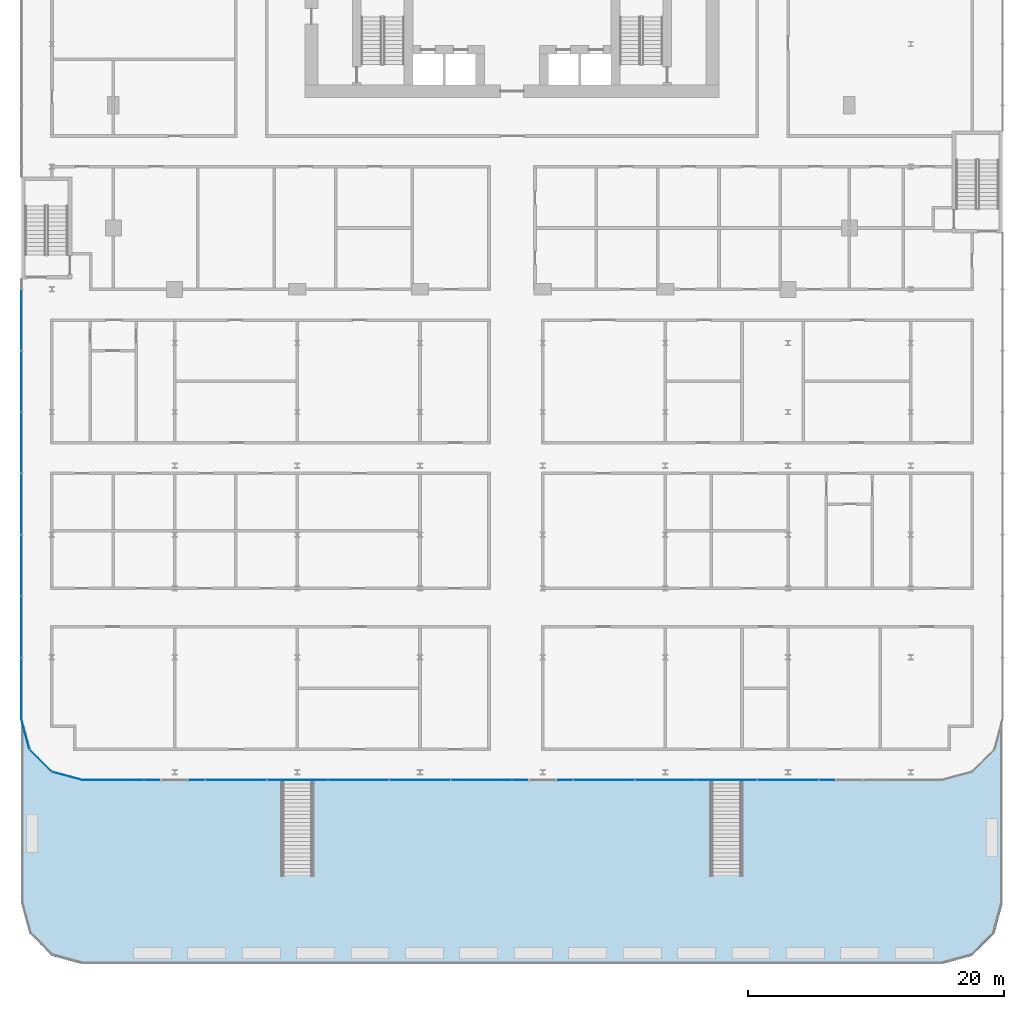
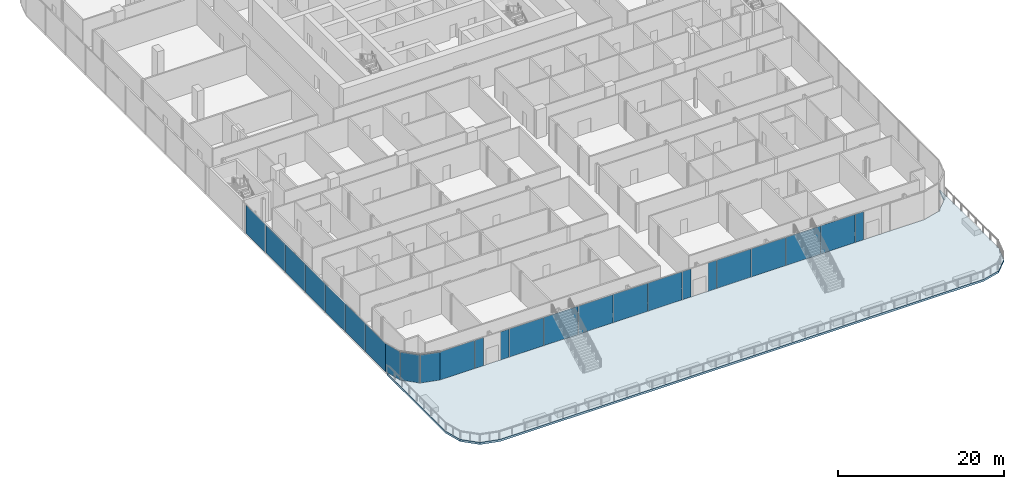
# One storey, part 24 of 45: 25 plates, 1 slab, 3 elements without a shape of their own.
"""IFC4 building model written with IfcOpenShell, lengths in metres."""

from ifc_helpers import new_model, si_unit, direction, frame, origin, origin_2d, place, context, subcontext, project, spatial, polyline, rectangle, outline, extrude, material, layer, layer_set, type_object, element, aggregate, save


model = new_model("IFC4")

# Units and contexts
model_context = context("Model", 3, precision=1e-05, world=origin(), true_north=direction((0.0, 1.0)))
body_context = subcontext(model_context, "Body", "Model", "MODEL_VIEW")
ifc_project = project(units=[si_unit("LENGTHUNIT", "METRE"), si_unit("AREAUNIT", "SQUARE_METRE"), si_unit("VOLUMEUNIT", "CUBIC_METRE"), si_unit("PLANEANGLEUNIT", "RADIAN"), si_unit("MASSUNIT", "GRAM", prefix="KILO")], contexts=[model_context])

# Site, building, storey
site_placement = place(None, origin())
site = spatial("IfcSite", under=ifc_project, at=site_placement, CompositionType="ELEMENT")
building_placement = place(site_placement, origin())
building = spatial("IfcBuilding", under=site, at=building_placement, Name="Madar Terraces", CompositionType="ELEMENT")
storey_placement = place(building_placement, frame((0.0, 0.0, 6.0)))
storey = spatial("IfcBuildingStorey", under=building, at=storey_placement, Name="L01", CompositionType="ELEMENT", Elevation=6.0)

# Curtain wall, plates
ifc_material_1 = material(Name="Glass, clear low-iron, with black aluminium frame", Category="aluminium")
ifc_layer_1 = layer(ifc_material_1, 0.199951171875)
ifc_layer_set_1 = layer_set([ifc_layer_1], Name="Facade curtain wall, shopfront glazing")
curtain_wall_type = type_object("IfcCurtainWallType", Name="Facade curtain wall, shopfront glazing", PredefinedType="NOTDEFINED", material=ifc_layer_set_1)
curtain_wall_1_placement = place(storey_placement, origin())
curtain_wall_1 = element("IfcCurtainWall", 1, at=curtain_wall_1_placement, inside=storey, type_object=curtain_wall_type, Name="Outer skin curtain wall south bay 1", PredefinedType="NOTDEFINED")
ifc_material_2 = material(Name="Glass, ceramic frit dark grey", Category="glass")
ifc_layer_2 = layer(ifc_material_2, 0.028076171875)
ifc_layer_set_2 = layer_set([ifc_layer_2], Name="Facade glass panel 28")
plate_type = type_object("IfcPlateType", Name="Facade glass panel 28", PredefinedType="CURTAIN_PANEL", material=ifc_layer_set_2)
plate_1_placement = place(storey_placement, frame((-0.014892578125, -38.39990234375, 0.0), z_axis=(0.0, 0.0, 1.0), x_axis=(1.0, 0.0, 0.0)))
plate_1 = element("IfcPlate", 2, at=plate_1_placement, type_object=plate_type, Name="Panel 1", PredefinedType="CURTAIN_PANEL", context=body_context, shape_type="SweptSolid", body=[
    extrude(rectangle(XDim=4.77001953125, YDim=0.028076171875, at=origin_2d()), origin(), (0.0, 0.0, 1.0), 4.139892578125),
])
plate_2_placement = place(storey_placement, frame((3.014892578125, -38.39990234375, 0.0), z_axis=(0.0, 0.0, 1.0), x_axis=(1.0, 0.0, 0.0)))
plate_2 = element("IfcPlate", 3, at=plate_2_placement, type_object=plate_type, Name="Panel 2", PredefinedType="CURTAIN_PANEL", context=body_context, shape_type="SweptSolid", body=[
    extrude(rectangle(XDim=1.169921875, YDim=0.028076171875, at=origin_2d()), origin(), (0.0, 0.0, 1.0), 4.139892578125),
])
plate_3_placement = place(storey_placement, frame((6.5849609375, -38.39990234375, 0.0), z_axis=(0.0, 0.0, 1.0), x_axis=(1.0, 0.0, 0.0)))
plate_3 = element("IfcPlate", 4, at=plate_3_placement, type_object=plate_type, Name="Panel 3", PredefinedType="CURTAIN_PANEL", context=body_context, shape_type="SweptSolid", body=[
    extrude(rectangle(XDim=1.169921875, YDim=0.028076171875, at=origin_2d()), origin(), (0.0, 0.0, 1.0), 4.139892578125),
])
plate_4_placement = place(storey_placement, frame((9.60009765625, -38.39990234375, 0.0), z_axis=(0.0, 0.0, 1.0), x_axis=(1.0, 0.0, 0.0)))
plate_4 = element("IfcPlate", 5, at=plate_4_placement, type_object=plate_type, Name="Panel 4", PredefinedType="CURTAIN_PANEL", context=body_context, shape_type="SweptSolid", body=[
    extrude(rectangle(XDim=4.739990234375, YDim=0.028076171875, at=origin_2d()), origin(), (0.0, 0.0, 1.0), 4.139892578125),
])
plate_5_placement = place(storey_placement, frame((14.39990234375, -38.39990234375, 0.0), z_axis=(0.0, 0.0, 1.0), x_axis=(1.0, 0.0, 0.0)))
plate_5 = element("IfcPlate", 6, at=plate_5_placement, type_object=plate_type, Name="Panel 5", PredefinedType="CURTAIN_PANEL", context=body_context, shape_type="SweptSolid", body=[
    extrude(rectangle(XDim=4.739990234375, YDim=0.028076171875, at=origin_2d()), origin(), (0.0, 0.0, 1.0), 4.139892578125),
])
plate_6_placement = place(storey_placement, frame((19.199951171875, -38.39990234375, 0.0), z_axis=(0.0, 0.0, 1.0), x_axis=(1.0, 0.0, 0.0)))
plate_6 = element("IfcPlate", 7, at=plate_6_placement, type_object=plate_type, Name="Panel 6", PredefinedType="CURTAIN_PANEL", context=body_context, shape_type="SweptSolid", body=[
    extrude(rectangle(XDim=4.739990234375, YDim=0.028076171875, at=origin_2d()), origin(), (0.0, 0.0, 1.0), 4.139892578125),
])
plate_7_placement = place(storey_placement, frame((24.0, -38.39990234375, 0.0), z_axis=(0.0, 0.0, 1.0), x_axis=(1.0, 0.0, 0.0)))
plate_7 = element("IfcPlate", 8, at=plate_7_placement, type_object=plate_type, Name="Panel 7", PredefinedType="CURTAIN_PANEL", context=body_context, shape_type="SweptSolid", body=[
    extrude(rectangle(XDim=4.739990234375, YDim=0.028076171875, at=origin_2d()), origin(), (0.0, 0.0, 1.0), 4.139892578125),
])
plate_8_placement = place(storey_placement, frame((28.800048828125, -38.39990234375, 0.0), z_axis=(0.0, 0.0, 1.0), x_axis=(1.0, 0.0, 0.0)))
plate_8 = element("IfcPlate", 9, at=plate_8_placement, type_object=plate_type, Name="Panel 8", PredefinedType="CURTAIN_PANEL", context=body_context, shape_type="SweptSolid", body=[
    extrude(rectangle(XDim=4.739990234375, YDim=0.028076171875, at=origin_2d()), origin(), (0.0, 0.0, 1.0), 4.139892578125),
])
plate_9_placement = place(storey_placement, frame((31.81494140625, -38.39990234375, 0.0), z_axis=(0.0, 0.0, 1.0), x_axis=(1.0, 0.0, 0.0)))
plate_9 = element("IfcPlate", 10, at=plate_9_placement, type_object=plate_type, Name="Panel 9", PredefinedType="CURTAIN_PANEL", context=body_context, shape_type="SweptSolid", body=[
    extrude(rectangle(XDim=1.169921875, YDim=0.028076171875, at=origin_2d()), origin(), (0.0, 0.0, 1.0), 4.139892578125),
])
plate_10_placement = place(storey_placement, frame((35.385009765625, -38.39990234375, 0.0), z_axis=(0.0, 0.0, 1.0), x_axis=(1.0, 0.0, 0.0)))
plate_10 = element("IfcPlate", 11, at=plate_10_placement, type_object=plate_type, Name="Panel 10", PredefinedType="CURTAIN_PANEL", context=body_context, shape_type="SweptSolid", body=[
    extrude(rectangle(XDim=1.169921875, YDim=0.028076171875, at=origin_2d()), origin(), (0.0, 0.0, 1.0), 4.139892578125),
])
plate_11_placement = place(storey_placement, frame((38.39990234375, -38.39990234375, 0.0), z_axis=(0.0, 0.0, 1.0), x_axis=(1.0, 0.0, 0.0)))
plate_11 = element("IfcPlate", 12, at=plate_11_placement, type_object=plate_type, Name="Panel 11", PredefinedType="CURTAIN_PANEL", context=body_context, shape_type="SweptSolid", body=[
    extrude(rectangle(XDim=4.739990234375, YDim=0.028076171875, at=origin_2d()), origin(), (0.0, 0.0, 1.0), 4.139892578125),
])
plate_12_placement = place(storey_placement, frame((43.199951171875, -38.39990234375, 0.0), z_axis=(0.0, 0.0, 1.0), x_axis=(1.0, 0.0, 0.0)))
plate_12 = element("IfcPlate", 13, at=plate_12_placement, type_object=plate_type, Name="Panel 12", PredefinedType="CURTAIN_PANEL", context=body_context, shape_type="SweptSolid", body=[
    extrude(rectangle(XDim=4.739990234375, YDim=0.028076171875, at=origin_2d()), origin(), (0.0, 0.0, 1.0), 4.139892578125),
])
plate_13_placement = place(storey_placement, frame((48.0, -38.39990234375, 0.0), z_axis=(0.0, 0.0, 1.0), x_axis=(1.0, 0.0, 0.0)))
plate_13 = element("IfcPlate", 14, at=plate_13_placement, type_object=plate_type, Name="Panel 13", PredefinedType="CURTAIN_PANEL", context=body_context, shape_type="SweptSolid", body=[
    extrude(rectangle(XDim=4.739990234375, YDim=0.028076171875, at=origin_2d()), origin(), (0.0, 0.0, 1.0), 4.139892578125),
])
plate_14_placement = place(storey_placement, frame((52.800048828125, -38.39990234375, 0.0), z_axis=(0.0, 0.0, 1.0), x_axis=(1.0, 0.0, 0.0)))
plate_14 = element("IfcPlate", 15, at=plate_14_placement, type_object=plate_type, Name="Panel 14", PredefinedType="CURTAIN_PANEL", context=body_context, shape_type="SweptSolid", body=[
    extrude(rectangle(XDim=4.739990234375, YDim=0.028076171875, at=origin_2d()), origin(), (0.0, 0.0, 1.0), 4.139892578125),
])
plate_15_placement = place(storey_placement, frame((55.81494140625, -38.39990234375, 0.0), z_axis=(0.0, 0.0, 1.0), x_axis=(1.0, 0.0, 0.0)))
plate_15 = element("IfcPlate", 16, at=plate_15_placement, type_object=plate_type, Name="Panel 15", PredefinedType="CURTAIN_PANEL", context=body_context, shape_type="SweptSolid", body=[
    extrude(rectangle(XDim=1.169921875, YDim=0.028076171875, at=origin_2d()), origin(), (0.0, 0.0, 1.0), 4.139892578125),
])
aggregate(curtain_wall_1, [plate_1, plate_2, plate_3, plate_4, plate_5, plate_6, plate_7, plate_8, plate_9, plate_10, plate_11, plate_12, plate_13, plate_14, plate_15])

curtain_wall_2_placement = place(storey_placement, origin())
curtain_wall_2 = element("IfcCurtainWall", 17, at=curtain_wall_2_placement, inside=storey, type_object=curtain_wall_type, Name="Outer skin curtain wall west bay 1", PredefinedType="NOTDEFINED")
plate_16_placement = place(storey_placement, frame((-7.199951171875, -2.39990234375, 0.0), z_axis=(0.0, 0.0, 1.0), x_axis=(0.0, -1.0, 0.0)))
plate_16 = element("IfcPlate", 18, at=plate_16_placement, type_object=plate_type, Name="Panel 12", PredefinedType="CURTAIN_PANEL", context=body_context, shape_type="SweptSolid", body=[
    extrude(rectangle(XDim=4.739990234375, YDim=0.028076171875, at=origin_2d()), origin(), (0.0, 0.0, 1.0), 4.139892578125),
])
plate_17_placement = place(storey_placement, frame((-7.199951171875, -7.199951171875, 0.0), z_axis=(0.0, 0.0, 1.0), x_axis=(0.0, -1.0, 0.0)))
plate_17 = element("IfcPlate", 19, at=plate_17_placement, type_object=plate_type, Name="Panel 13", PredefinedType="CURTAIN_PANEL", context=body_context, shape_type="SweptSolid", body=[
    extrude(rectangle(XDim=4.739990234375, YDim=0.028076171875, at=origin_2d()), origin(), (0.0, 0.0, 1.0), 4.139892578125),
])
plate_18_placement = place(storey_placement, frame((-7.199951171875, -12.0, 0.0), z_axis=(0.0, 0.0, 1.0), x_axis=(0.0, -1.0, 0.0)))
plate_18 = element("IfcPlate", 20, at=plate_18_placement, type_object=plate_type, Name="Panel 14", PredefinedType="CURTAIN_PANEL", context=body_context, shape_type="SweptSolid", body=[
    extrude(rectangle(XDim=4.739990234375, YDim=0.028076171875, at=origin_2d()), origin(), (0.0, 0.0, 1.0), 4.139892578125),
])
plate_19_placement = place(storey_placement, frame((-7.199951171875, -16.800048828125, 0.0), z_axis=(0.0, 0.0, 1.0), x_axis=(0.0, -1.0, 0.0)))
plate_19 = element("IfcPlate", 21, at=plate_19_placement, type_object=plate_type, Name="Panel 15", PredefinedType="CURTAIN_PANEL", context=body_context, shape_type="SweptSolid", body=[
    extrude(rectangle(XDim=4.739990234375, YDim=0.028076171875, at=origin_2d()), origin(), (0.0, 0.0, 1.0), 4.139892578125),
])
plate_20_placement = place(storey_placement, frame((-7.199951171875, -21.60009765625, 0.0), z_axis=(0.0, 0.0, 1.0), x_axis=(0.0, -1.0, 0.0)))
plate_20 = element("IfcPlate", 22, at=plate_20_placement, type_object=plate_type, Name="Panel 16", PredefinedType="CURTAIN_PANEL", context=body_context, shape_type="SweptSolid", body=[
    extrude(rectangle(XDim=4.739990234375, YDim=0.028076171875, at=origin_2d()), origin(), (0.0, 0.0, 1.0), 4.139892578125),
])
plate_21_placement = place(storey_placement, frame((-7.199951171875, -26.39990234375, 0.0), z_axis=(0.0, 0.0, 1.0), x_axis=(0.0, -1.0, 0.0)))
plate_21 = element("IfcPlate", 23, at=plate_21_placement, type_object=plate_type, Name="Panel 17", PredefinedType="CURTAIN_PANEL", context=body_context, shape_type="SweptSolid", body=[
    extrude(rectangle(XDim=4.739990234375, YDim=0.028076171875, at=origin_2d()), origin(), (0.0, 0.0, 1.0), 4.139892578125),
])
plate_22_placement = place(storey_placement, frame((-7.199951171875, -31.215087890625, 0.0), z_axis=(0.0, 0.0, 1.0), x_axis=(0.0, -1.0, 0.0)))
plate_22 = element("IfcPlate", 24, at=plate_22_placement, type_object=plate_type, Name="Panel 18", PredefinedType="CURTAIN_PANEL", context=body_context, shape_type="SweptSolid", body=[
    extrude(rectangle(XDim=4.77001953125, YDim=0.028076171875, at=origin_2d()), origin(), (0.0, 0.0, 1.0), 4.139892578125),
])
aggregate(curtain_wall_2, [plate_16, plate_17, plate_18, plate_19, plate_20, plate_21, plate_22])

curtain_wall_3_placement = place(storey_placement, origin())
curtain_wall_3 = element("IfcCurtainWall", 25, at=curtain_wall_3_placement, inside=storey, type_object=curtain_wall_type, Name="Outer skin curtain wall south-west corner", PredefinedType="NOTDEFINED")
plate_23_placement = place(storey_placement, frame((-6.88232421875, -34.785400390625, 0.0), z_axis=(0.0, 0.0, 1.0), x_axis=(0.258819021888, -0.965925832509, 0.0)))
plate_23 = element("IfcPlate", 26, at=plate_23_placement, type_object=plate_type, Name="Panel 1", PredefinedType="CURTAIN_PANEL", context=body_context, shape_type="SweptSolid", body=[
    extrude(rectangle(XDim=2.45458984375, YDim=0.028076171875, at=origin_2d()), origin(), (0.0, 0.0, 1.0), 4.139892578125),
])
plate_24_placement = place(storey_placement, frame((-5.678466796875, -36.87841796875, 0.0), z_axis=(0.0, 0.0, 1.0), x_axis=(0.707106781187, -0.707106781187, 0.0)))
plate_24 = element("IfcPlate", 27, at=plate_24_placement, type_object=plate_type, Name="Panel 2", PredefinedType="CURTAIN_PANEL", context=body_context, shape_type="SweptSolid", body=[
    extrude(rectangle(XDim=2.424560546875, YDim=0.028076171875, at=origin_2d()), origin(), (0.0, 0.0, 1.0), 4.139892578125),
])
plate_25_placement = place(storey_placement, frame((-3.58544921875, -38.082275390625, 0.0), z_axis=(0.0, 0.0, 1.0), x_axis=(0.965925832509, -0.258819021888, 0.0)))
plate_25 = element("IfcPlate", 28, at=plate_25_placement, type_object=plate_type, Name="Panel 3", PredefinedType="CURTAIN_PANEL", context=body_context, shape_type="SweptSolid", body=[
    extrude(rectangle(XDim=2.45458984375, YDim=0.028076171875, at=origin_2d()), origin(), (0.0, 0.0, 1.0), 4.139892578125),
])
aggregate(curtain_wall_3, [plate_23, plate_24, plate_25])

# Slab
ifc_material_3 = material(Name="Concrete C50/60", Category="concrete")
ifc_layer_3 = layer(ifc_material_3, 0.300048828125)
ifc_layer_set_3 = layer_set([ifc_layer_3], Name="TS2 PT terrace slab 300")
slab_type = type_object("IfcSlabType", Name="TS2 PT terrace slab 300", PredefinedType="FLOOR", material=ifc_layer_set_3)
slab_placement = place(storey_placement, frame((0.0, 0.0, -0.300048828125)))
element("IfcSlab", 29, at=slab_placement, inside=storey, type_object=slab_type, Name="Terrace roof slab L01 (1)", PredefinedType="FLOOR", context=body_context, shape_type="SweptSolid", body=[
    extrude(outline(polyline([(-6.557373046875, -35.998779296875), (-7.101806640625, -33.966796875), (-7.103271484375, -33.962158203125), (-7.105224609375, -33.95751953125), (-7.107666015625, -33.953125), (-7.1103515625, -33.94921875), (-7.11376953125, -33.9453125), (-7.1171875, -33.94189453125), (-7.12109375, -33.93896484375), (-7.12548828125, -33.936279296875), (-7.1298828125, -33.93408203125), (-7.134521484375, -33.932373046875), (-7.13916015625, -33.930908203125), (-7.14404296875, -33.93017578125), (-7.149169921875, -33.9296875), (-7.154052734375, -33.929931640625), (-7.158935546875, -33.9306640625), (-7.163818359375, -33.931640625), (-7.16845703125, -33.933349609375), (-7.173095703125, -33.935302734375), (-7.17724609375, -33.93798828125), (-7.181396484375, -33.94091796875), (-7.18505859375, -33.944091796875), (-7.1884765625, -33.94775390625), (-7.19140625, -33.95166015625), (-7.19384765625, -33.9560546875), (-7.196044921875, -33.96044921875), (-7.19775390625, -33.965087890625), (-7.198974609375, -33.969970703125), (-7.19970703125, -33.974853515625), (-7.199951171875, -33.979736328125), (-7.199951171875, -47.993408203125), (-7.19970703125, -47.997802734375), (-7.19921875, -48.002197265625), (-7.1982421875, -48.00634765625), (-6.560302734375, -50.386962890625), (-6.558837890625, -50.39208984375), (-6.556640625, -50.396728515625), (-6.553955078125, -50.4013671875), (-6.551025390625, -50.405517578125), (-6.54736328125, -50.409423828125), (-4.8095703125, -52.1474609375), (-4.8056640625, -52.15087890625), (-4.80126953125, -52.154052734375), (-4.796875, -52.15673828125), (-4.7919921875, -52.15869140625), (-4.787109375, -52.160400390625), (-2.40625, -52.79833984375), (-2.402099609375, -52.79931640625), (-2.397705078125, -52.7998046875), (-2.393310546875, -52.800048828125), (64.79345703125, -52.800048828125), (64.7978515625, -52.7998046875), (64.802001953125, -52.79931640625), (64.806396484375, -52.79833984375), (67.18701171875, -52.160400390625), (67.192138671875, -52.15869140625), (67.19677734375, -52.15673828125), (67.201416015625, -52.154052734375), (67.20556640625, -52.15087890625), (67.20947265625, -52.1474609375), (68.947509765625, -50.409423828125), (68.950927734375, -50.405517578125), (68.9541015625, -50.4013671875), (68.95654296875, -50.396728515625), (68.958740234375, -50.39208984375), (68.96044921875, -50.386962890625), (69.598388671875, -48.00634765625), (69.59912109375, -48.002197265625), (69.599853515625, -47.997802734375), (69.60009765625, -47.993408203125), (69.60009765625, -33.979736328125), (69.599853515625, -33.974853515625), (69.59912109375, -33.969970703125), (69.597900390625, -33.965087890625), (69.59619140625, -33.96044921875), (69.593994140625, -33.9560546875), (69.59130859375, -33.95166015625), (69.58837890625, -33.94775390625), (69.5849609375, -33.944091796875), (69.581298828125, -33.94091796875), (69.577392578125, -33.93798828125), (69.572998046875, -33.935302734375), (69.568603515625, -33.933349609375), (69.563720703125, -33.931640625), (69.55908203125, -33.9306640625), (69.553955078125, -33.929931640625), (69.549072265625, -33.9296875), (69.544189453125, -33.93017578125), (69.539306640625, -33.930908203125), (69.534423828125, -33.932373046875), (69.52978515625, -33.93408203125), (69.525390625, -33.936279296875), (69.521240234375, -33.93896484375), (69.517333984375, -33.94189453125), (69.513671875, -33.9453125), (69.510498046875, -33.94921875), (69.507568359375, -33.953125), (69.505126953125, -33.95751953125), (69.503173828125, -33.962158203125), (69.501708984375, -33.966796875), (68.957275390625, -35.998779296875), (68.956787109375, -36.0), (68.9560546875, -36.0009765625), (67.200927734375, -37.756103515625), (67.199951171875, -37.7568359375), (67.19873046875, -37.75732421875), (64.801025390625, -38.399658203125), (64.800048828125, -38.39990234375), (64.798828125, -38.39990234375), (-2.39892578125, -38.39990234375), (-2.39990234375, -38.39990234375), (-2.401123046875, -38.399658203125), (-4.798828125, -37.75732421875), (-4.800048828125, -37.7568359375), (-4.801025390625, -37.756103515625), (-6.555908203125, -36.0009765625), (-6.556884765625, -36.0), (-6.557373046875, -35.998779296875)])), origin(), (0.0, 0.0, 1.0), 0.300048828125),
])

save(model, "model.ifc")
